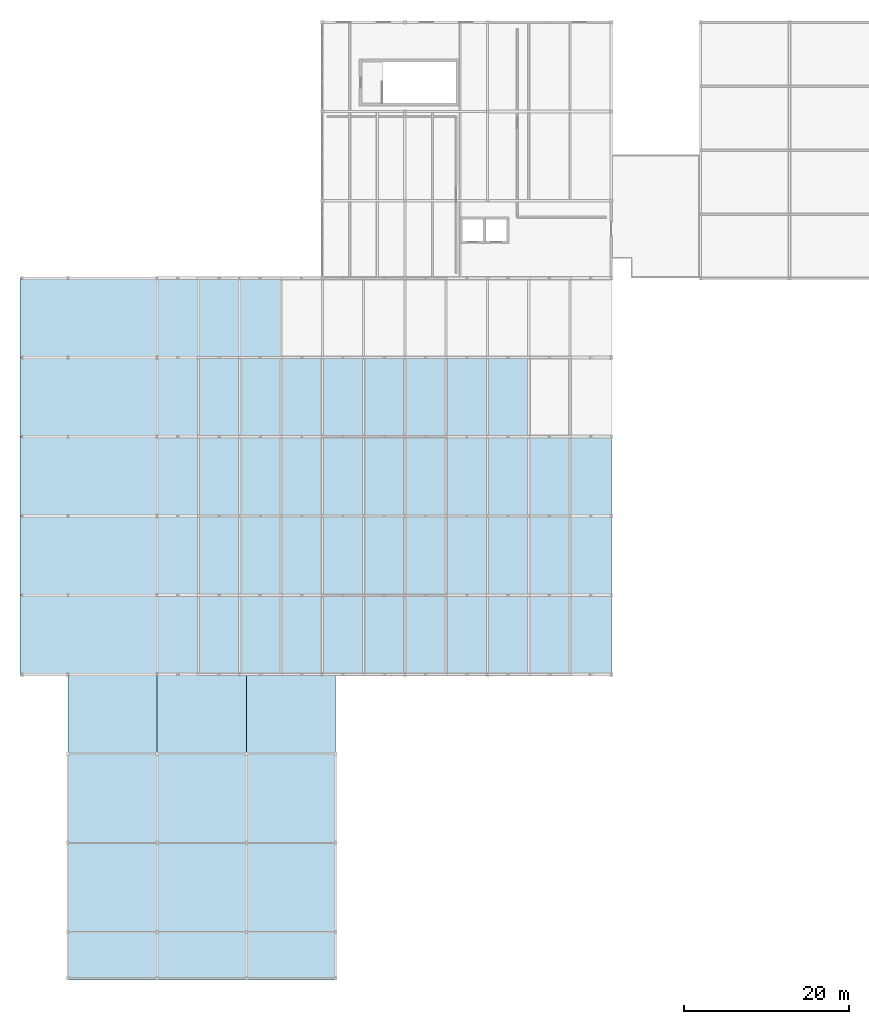
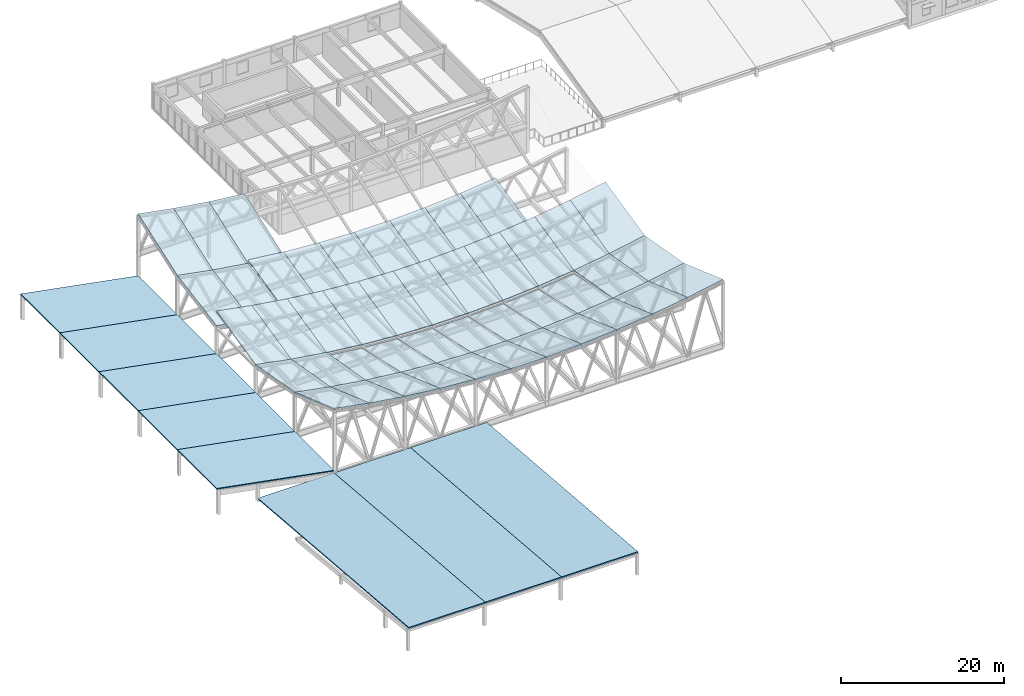
# One storey, part 20 of 40: 53 slabs, 3 elements without a shape of their own.
"""IFC4 building model written with IfcOpenShell, lengths in metres."""

import ifcopenshell
import ifcopenshell.guid

model = None  # the IFC model being written
_history = None  # IfcOwnerHistory: only IFC2X3 demands one
_inside = {}  # id of a spatial element -> (the spatial element, [elements in it])
_under = {}  # id of a project, library or spatial element -> (it, [spatial elements below it])
_declared = {}  # id of a project -> (the project, [libraries it declares])
_typed = {}  # id of a type object -> (the type object, [elements of that type])
_made_of = {}  # id of a material, layer set ... -> (it, [elements and type objects made of it])


def new_model(schema):
    """Start an empty IFC model of exactly this schema.

    Asked for "IFC4X3", IfcOpenShell would pick the latest addendum, in which some entities
    have other attributes; the version numbers below select the first issue.
    IFC2X3 requires an IfcOwnerHistory on every rooted entity: one is made here for all.
    """
    global model, _history
    if schema == "IFC4X3":
        model = ifcopenshell.file(schema_version=(4, 3, 0, 0))
    else:
        model = ifcopenshell.file(schema=schema)
    _inside.clear()
    _under.clear()
    _declared.clear()
    _typed.clear()
    _made_of.clear()
    _history = None
    if model.schema == "IFC2X3":
        org = make("IfcOrganization", Name="unknown")
        user = make(
            "IfcPersonAndOrganization",
            ThePerson=make("IfcPerson", FamilyName="unknown"),
            TheOrganization=org,
        )
        app = make(
            "IfcApplication",
            ApplicationDeveloper=org,
            Version="unknown",
            ApplicationFullName="unknown",
            ApplicationIdentifier="unknown",
        )
        _history = make(
            "IfcOwnerHistory",
            OwningUser=user,
            OwningApplication=app,
            ChangeAction="ADDED",
            CreationDate=0,
        )
    return model


def make(cls, **values):
    """One entity of the class cls with the attributes given. An attribute that is None is left unset."""
    return model.create_entity(
        cls, **{name: value for name, value in values.items() if value is not None}
    )


def rooted(cls, **values):
    """An entity with a GlobalId (a new one), such as an element, a storey or a relation."""
    return make(cls, GlobalId=ifcopenshell.guid.new(), OwnerHistory=_history, **values)


def si_unit(unit_type, name, prefix=None):
    """IfcSIUnit, for example si_unit("LENGTHUNIT", "METRE", prefix="MILLI")."""
    return make("IfcSIUnit", UnitType=unit_type, Prefix=prefix, Name=name)


def assignment(units):
    """IfcUnitAssignment: the units of a project."""
    return None if units is None else make("IfcUnitAssignment", Units=units)


def point(xyz):
    """IfcCartesianPoint."""
    return None if xyz is None else make("IfcCartesianPoint", Coordinates=xyz)


def direction(xyz):
    """IfcDirection."""
    return None if xyz is None else make("IfcDirection", DirectionRatios=xyz)


def frame(location, z_axis=None, x_axis=None):
    """IfcAxis2Placement3D, a coordinate frame: its origin and axes. An axis left out is left unset."""
    return make(
        "IfcAxis2Placement3D",
        Location=point(location),
        Axis=direction(z_axis),
        RefDirection=direction(x_axis),
    )


def origin():
    """The frame at (0, 0, 0) with its axes left unset."""
    return frame((0.0, 0.0, 0.0))


def place(relative_to, where):
    """IfcLocalPlacement: puts the frame where relative to a parent placement (None: the world)."""
    return make(
        "IfcLocalPlacement", PlacementRelTo=relative_to, RelativePlacement=where
    )


def context(
    kind, dimensions, precision=None, world=None, true_north=None, identifier=None
):
    """IfcGeometricRepresentationContext, for example the 3D "Model" context."""
    return make(
        "IfcGeometricRepresentationContext",
        ContextIdentifier=identifier,
        ContextType=kind,
        CoordinateSpaceDimension=dimensions,
        Precision=precision,
        WorldCoordinateSystem=world,
        TrueNorth=true_north,
    )


def subcontext(parent, identifier, kind, view, scale=None):
    """IfcGeometricRepresentationSubContext, for example "Body" below "Model"."""
    return make(
        "IfcGeometricRepresentationSubContext",
        ContextIdentifier=identifier,
        ContextType=kind,
        ParentContext=parent,
        TargetScale=scale,
        TargetView=view,
    )


def project(units=None, contexts=None):
    """IfcProject with its units and contexts."""
    return rooted(
        "IfcProject",
        Name="project",
        RepresentationContexts=contexts,
        UnitsInContext=assignment(units),
    )


def spatial(cls, under=None, at=None, **own):
    """A site, building, storey or space (cls), placed at a placement, below another one or the project."""
    s = rooted(cls, ObjectPlacement=at, **own)
    if under is not None:
        _under.setdefault(under.id(), (under, []))[1].append(s)
    return s


def polyline(points):
    """IfcPolyline through the points."""
    return make("IfcPolyline", Points=[point(p) for p in points])


def outline(outer, holes=None, kind="AREA"):
    """IfcArbitraryClosedProfileDef: a profile drawn as a closed curve; with holes, ...WithVoids."""
    if holes is None:
        return make("IfcArbitraryClosedProfileDef", ProfileType=kind, OuterCurve=outer)
    return make(
        "IfcArbitraryProfileDefWithVoids",
        ProfileType=kind,
        OuterCurve=outer,
        InnerCurves=holes,
    )


def extrude(swept, where, along, depth):
    """IfcExtrudedAreaSolid: the profile swept, set in the frame where, extruded along a direction by depth."""
    return make(
        "IfcExtrudedAreaSolid",
        SweptArea=swept,
        Position=where,
        ExtrudedDirection=direction(along),
        Depth=depth,
    )


def shape(context_of_items, identifier, shape_type, items):
    """IfcShapeRepresentation: the items that make up one representation, for example the "Body"."""
    return make(
        "IfcShapeRepresentation",
        ContextOfItems=context_of_items,
        RepresentationIdentifier=identifier,
        RepresentationType=shape_type,
        Items=items,
    )


def material(Name=None, Category=None):
    """IfcMaterial."""
    return make("IfcMaterial", Name=Name, Category=Category)


def layer(
    of_material, thickness, ventilated=None, Name=None, Category=None, Priority=None
):
    """IfcMaterialLayer: one layer of a wall or slab, of a material (None: an air gap)."""
    return make(
        "IfcMaterialLayer",
        Material=of_material,
        LayerThickness=thickness,
        IsVentilated=ventilated,
        Name=Name,
        Category=Category,
        Priority=Priority,
    )


def layer_set(layers, Name=None):
    """IfcMaterialLayerSet."""
    return make("IfcMaterialLayerSet", MaterialLayers=layers, LayerSetName=Name)


def made_of(thing, what):
    """Note that an element or type object is made of a material, layer set ...; save() writes the relation."""
    if what is not None:
        _made_of.setdefault(what.id(), (what, []))[1].append(thing)
    return thing


def type_object(cls, material=None, **own):
    """A type object (cls), such as IfcWallType, which elements share."""
    return made_of(rooted(cls, **own), material)


def element(
    cls,
    number,
    at=None,
    inside=None,
    cuts=None,
    type_object=None,
    material=None,
    context=None,
    identifier="Body",
    shape_type=None,
    held_by="IfcProductDefinitionShape",
    body=None,
    shapes=None,
    **own,
):
    """One element of the class cls, such as IfcWall. Its Tag is "e" and its number.

    at: its placement. inside: the storey or other place that contains it. cuts: it is an
    opening in that element (IfcRelVoidsElement). A single representation is given by context,
    identifier, shape_type and body (its items); several are given by shapes. held_by: the class
    of the entity that holds the representations. save() writes the other relations.
    """
    e = rooted(cls, Tag="e%d" % number, ObjectPlacement=at, **own)
    if body is not None:
        shapes = [shape(context, identifier, shape_type, body)]
    if shapes is not None:
        e.Representation = make(held_by, Representations=shapes)
    if inside is not None:
        _inside.setdefault(inside.id(), (inside, []))[1].append(e)
    if cuts is not None:
        rooted(
            "IfcRelVoidsElement", RelatingBuildingElement=cuts, RelatedOpeningElement=e
        )
    if type_object is not None:
        _typed.setdefault(type_object.id(), (type_object, []))[1].append(e)
    return made_of(e, material)


def aggregate(whole, parts):
    """IfcRelAggregates: a whole, such as a stair, and the parts it consists of."""
    return rooted("IfcRelAggregates", RelatingObject=whole, RelatedObjects=parts)


def save(model, path):
    """Write the relations noted so far, then the file.

    IfcRelAggregates (storeys below a building ...), IfcRelContainedInSpatialStructure (elements
    in a storey), IfcRelDefinesByType, IfcRelAssociatesMaterial and IfcRelDeclares: one each for
    every whole, place, type object, material and project.
    """
    for whole, parts in _under.values():
        aggregate(whole, parts)
    for where, things in _inside.values():
        rooted(
            "IfcRelContainedInSpatialStructure",
            RelatedElements=things,
            RelatingStructure=where,
        )
    for kind, things in _typed.values():
        rooted("IfcRelDefinesByType", RelatedObjects=things, RelatingType=kind)
    for what, things in _made_of.values():
        rooted("IfcRelAssociatesMaterial", RelatedObjects=things, RelatingMaterial=what)
    for by, libraries in _declared.values():
        rooted("IfcRelDeclares", RelatingContext=by, RelatedDefinitions=libraries)
    model.write(path)


model = new_model("IFC4")

# Units and contexts
model_context = context("Model", 3, precision=1e-05, world=origin(), true_north=direction((0.0, 1.0)))
body_context = subcontext(model_context, "Body", "Model", "MODEL_VIEW")
ifc_project = project(units=[si_unit("LENGTHUNIT", "METRE"), si_unit("AREAUNIT", "SQUARE_METRE"), si_unit("VOLUMEUNIT", "CUBIC_METRE"), si_unit("PLANEANGLEUNIT", "RADIAN"), si_unit("MASSUNIT", "GRAM", prefix="KILO")], contexts=[model_context])

# Site, building, storey
site_placement = place(None, origin())
site = spatial("IfcSite", under=ifc_project, at=site_placement, CompositionType="ELEMENT")
building_placement = place(site_placement, origin())
building = spatial("IfcBuilding", under=site, at=building_placement, Name="Veldera Park Congress Hotel", CompositionType="ELEMENT")
storey_placement = place(building_placement, frame((0.0, 0.0, 16.199951171875)))
storey = spatial("IfcBuildingStorey", under=building, at=storey_placement, Name="L03", CompositionType="ELEMENT", Elevation=16.199951171875)

# Roof, slabs
ifc_material = material(Name="Cross-laminated timber CLT V2M1.1", Category="wood")
roof_type_1 = type_object("IfcRoofType", Name="ROOF-SHD", PredefinedType="SHED_ROOF", material=ifc_material)
roof_1_placement = place(storey_placement, origin())
roof_1 = element("IfcRoof", 1, at=roof_1_placement, inside=storey, type_object=roof_type_1, Name="Plenary West Overhang Canopy Roof", PredefinedType="SHED_ROOF")
ifc_layer_1 = layer(ifc_material, 0.139892578125)
ifc_layer_set_1 = layer_set([ifc_layer_1], Name="Cross-laminated timber CLT V2M1.1")
slab_type_1 = type_object("IfcSlabType", Name="RF-CAN140", PredefinedType="ROOF", material=ifc_layer_set_1)
slab_1_placement = place(storey_placement, frame((-84.0, -21.0, 3.860107421875), z_axis=(0.183577954771, 0.0, 0.983005154881), x_axis=(0.983005154881, 0.0, -0.183577954771)))
slab_1 = element("IfcSlab", 2, at=slab_1_placement, type_object=slab_type_1, Name="Plenary West Cantilever Roof Deck 1", PredefinedType="ROOF", context=body_context, shape_type="SweptSolid", body=[
    extrude(outline(polyline([(0.0, 0.0), (16.887091154942095, 0.0), (16.887091154942095, 9.600097656249998), (0.0, 9.600097656249998), (0.0, 0.0)])), origin(), (0.0, 0.0, -1.0), 0.139892578125),
])
slab_2_placement = place(storey_placement, frame((-84.0, -11.39990234375, 3.860107421875), z_axis=(0.183577954771, 0.0, 0.983005154881), x_axis=(0.983005154881, 0.0, -0.183577954771)))
slab_2 = element("IfcSlab", 3, at=slab_2_placement, type_object=slab_type_1, Name="Plenary West Cantilever Roof Deck 2", PredefinedType="ROOF", context=body_context, shape_type="SweptSolid", body=[
    extrude(outline(polyline([(0.0, 0.0), (16.887091154942095, 0.0), (16.887091154942095, 9.599853515624998), (0.0, 9.599853515624998), (0.0, 0.0)])), origin(), (0.0, 0.0, -1.0), 0.139892578125),
])
slab_3_placement = place(storey_placement, frame((-84.0, -1.800048828125, 3.860107421875), z_axis=(0.183577954771, 0.0, 0.983005154881), x_axis=(0.983005154881, 0.0, -0.183577954771)))
slab_3 = element("IfcSlab", 4, at=slab_3_placement, type_object=slab_type_1, Name="Plenary West Cantilever Roof Deck 3", PredefinedType="ROOF", context=body_context, shape_type="SweptSolid", body=[
    extrude(outline(polyline([(0.0, 0.0), (16.887091154942095, 0.0), (16.887091154942095, 9.600097656249998), (0.0, 9.600097656249998), (0.0, 0.0)])), origin(), (0.0, 0.0, -1.0), 0.139892578125),
])
slab_4_placement = place(storey_placement, frame((-84.0, 7.800048828125, 3.860107421875), z_axis=(0.183577954771, 0.0, 0.983005154881), x_axis=(0.983005154881, 0.0, -0.183577954771)))
slab_4 = element("IfcSlab", 5, at=slab_4_placement, type_object=slab_type_1, Name="Plenary West Cantilever Roof Deck 4", PredefinedType="ROOF", context=body_context, shape_type="SweptSolid", body=[
    extrude(outline(polyline([(0.0, 0.0), (16.887091154942095, 0.0), (16.887091154942095, 9.599853515624998), (0.0, 9.599853515624998), (0.0, 0.0)])), origin(), (0.0, 0.0, -1.0), 0.139892578125),
])
slab_5_placement = place(storey_placement, frame((-84.0, 17.39990234375, 3.860107421875), z_axis=(0.183577954771, 0.0, 0.983005154881), x_axis=(0.983005154881, 0.0, -0.183577954771)))
slab_5 = element("IfcSlab", 6, at=slab_5_placement, type_object=slab_type_1, Name="Plenary West Cantilever Roof Deck 5", PredefinedType="ROOF", context=body_context, shape_type="SweptSolid", body=[
    extrude(outline(polyline([(0.0, 0.0), (16.887091154942095, 0.0), (16.887091154942095, 9.600097656249998), (0.0, 9.600097656249998), (0.0, 0.0)])), origin(), (0.0, 0.0, -1.0), 0.139892578125),
])
aggregate(roof_1, [slab_1, slab_2, slab_3, slab_4, slab_5])

roof_type_2 = type_object("IfcRoofType", Name="ROOF-BUT", PredefinedType="BUTTERFLY_ROOF", material=ifc_material)
roof_2_placement = place(storey_placement, origin())
roof_2 = element("IfcRoof", 7, at=roof_2_placement, inside=storey, type_object=roof_type_2, Name="Biophilic Spa Butterfly Timber Roof", PredefinedType="BUTTERFLY_ROOF")
ifc_layer_2 = layer(ifc_material, 0.159912109375)
ifc_layer_set_2 = layer_set([ifc_layer_2], Name="Cross-laminated timber CLT V2M1.1")
slab_type_2 = type_object("IfcSlabType", Name="RF-DECK160", PredefinedType="ROOF", material=ifc_layer_set_2)
slab_6_placement = place(storey_placement, frame((-78.199951171875, -58.0, 3.489990234375), z_axis=(0.0, 0.083487335829, 0.996508838273), x_axis=(1.0, 0.0, 0.0)))
slab_6 = element("IfcSlab", 8, at=slab_6_placement, type_object=slab_type_2, Name="Spa Butterfly Roof Deck 1", PredefinedType="ROOF", context=body_context, shape_type="SweptSolid", body=[
    extrude(outline(polyline([(0.0, 0.0), (10.800048828125, 0.0), (10.800048828125, 37.12962552758017), (0.0, 37.12962552758017), (0.0, 0.0)])), origin(), (0.0, 0.0, -1.0), 0.159912109375),
])
slab_7_placement = place(storey_placement, frame((-67.39990234375, -58.0, 3.489990234375), z_axis=(0.0, 0.083487335829, 0.996508838273), x_axis=(1.0, 0.0, 0.0)))
slab_7 = element("IfcSlab", 9, at=slab_7_placement, type_object=slab_type_2, Name="Spa Butterfly Roof Deck 2", PredefinedType="ROOF", context=body_context, shape_type="SweptSolid", body=[
    extrude(outline(polyline([(0.0, 0.0), (10.7998046875, 0.0), (10.7998046875, 37.12962552758016), (0.0, 37.12962552758016), (0.0, 0.0)])), origin(), (0.0, 0.0, -1.0), 0.159912109375),
])
slab_8_placement = place(storey_placement, frame((-56.60009765625, -58.0, 3.489990234375), z_axis=(0.0, 0.083487335829, 0.996508838273), x_axis=(1.0, 0.0, 0.0)))
slab_8 = element("IfcSlab", 10, at=slab_8_placement, type_object=slab_type_2, Name="Spa Butterfly Roof Deck 3", PredefinedType="ROOF", context=body_context, shape_type="SweptSolid", body=[
    extrude(outline(polyline([(0.0, 0.0), (10.800048828125, 0.0), (10.800048828125, 37.12962552758017), (0.0, 37.12962552758017), (0.0, 0.0)])), origin(), (0.0, 0.0, -1.0), 0.159912109375),
])
aggregate(roof_2, [slab_6, slab_7, slab_8])

roof_type_3 = type_object("IfcRoofType", Name="ROOF-PAV", PredefinedType="PAVILION_ROOF", material=ifc_material)
roof_3_placement = place(storey_placement, origin())
roof_3 = element("IfcRoof", 11, at=roof_3_placement, inside=storey, type_object=roof_type_3, Name="Plenary Congress Pavilion Sweeping Space Frame Roof", PredefinedType="PAVILION_ROOF")
ifc_layer_3 = layer(ifc_material, 0.179931640625)
ifc_layer_set_3 = layer_set([ifc_layer_3], Name="Cross-laminated timber CLT V2M1.1")
slab_type_3 = type_object("IfcSlabType", Name="RF-DECK180", PredefinedType="ROOF", material=ifc_layer_set_3)
slab_9_placement = place(storey_placement, frame((-67.39990234375, -21.0, 10.026123046875), z_axis=(0.174579612807, 0.327586114699, 0.928552258222), x_axis=(0.982780332311, 7.298383e-06, -0.184777753991)))
slab_9 = element("IfcSlab", 12, at=slab_9_placement, type_object=slab_type_3, Name="Plenary Sweeping Roof Deck Panel 1-1", PredefinedType="ROOF", context=body_context, shape_type="SweptSolid", body=[
    extrude(outline(polyline([(0.0, 0.0), (5.0876270352399775, 0.0), (5.713487384450559, 10.160710492459494), (0.6259054609669267, 10.160789092048486), (0.0, 0.0)])), origin(), (0.0, 0.0, -1.0), 0.179931640625),
])
slab_10_placement = place(storey_placement, frame((-67.39990234375, -11.39990234375, 6.63916015625), z_axis=(0.182013731489, 0.170822714202, 0.968344257928), x_axis=(0.982789385968, 3.968935e-06, -0.184729593765)))
slab_10 = element("IfcSlab", 13, at=slab_10_placement, type_object=slab_type_3, Name="Plenary Sweeping Roof Deck Panel 1-2", PredefinedType="ROOF", context=body_context, shape_type="SweptSolid", body=[
    extrude(outline(polyline([(0.0, 0.0), (5.087581923980247, 5.551115123125783e-17), (5.400433614622228, 9.743037375482444), (0.31289679064045833, 9.743078362305686), (0.0, 0.0)])), origin(), (0.0, 0.0, -1.0), 0.179931640625),
])
slab_11_placement = place(storey_placement, frame((-67.39990234375, -1.800048828125, 4.945556640625), z_axis=(0.180214537968, -0.219723718022, 0.958772239921), x_axis=(0.982789723381, 5.054694e-06, -0.184727798645)))
slab_11 = element("IfcSlab", 14, at=slab_11_placement, type_object=slab_type_3, Name="Plenary Sweeping Roof Deck Panel 1-3", PredefinedType="ROOF", context=body_context, shape_type="SweptSolid", body=[
    extrude(outline(polyline([(0.0, 0.0), (5.087536824173885, 2.7755575615628914e-17), (4.681193212625219, 9.840556133868995), (-0.40638871110888175, 9.840608854358004), (0.0, 0.0)])), origin(), (0.0, 0.0, -1.0), 0.179931640625),
])
slab_12_placement = place(storey_placement, frame((-67.39990234375, 7.800048828125, 4.945556640625), z_axis=(0.182013731489, -0.170822714202, 0.968344257928), x_axis=(0.982789640192, 3.968971e-06, -0.184728241248)))
slab_12 = element("IfcSlab", 15, at=slab_12_placement, type_object=slab_type_3, Name="Plenary Sweeping Roof Deck Panel 1-4", PredefinedType="ROOF", context=body_context, shape_type="SweptSolid", body=[
    extrude(outline(polyline([(0.0, 0.0), (5.087536824146871, -2.7755575615628914e-17), (4.774763626539182, 9.743039895599507), (-0.31281829727596183, 9.743080882786087), (0.0, 0.0)])), origin(), (0.0, 0.0, -1.0), 0.179931640625),
])
slab_13_placement = place(storey_placement, frame((-67.39990234375, 17.39990234375, 6.63916015625), z_axis=(0.174556958701, -0.32759795106, 0.928552341352), x_axis=(0.982785156753, 0.0, -0.184752092456)))
slab_13 = element("IfcSlab", 16, at=slab_13_placement, type_object=slab_type_3, Name="Plenary Sweeping Roof Deck Panel 1-5", PredefinedType="ROOF", context=body_context, shape_type="SweptSolid", body=[
    extrude(outline(polyline([(0.0, 0.0), (5.0875819253534615, 0.0), (4.461833444239922, 10.160798761435622), (-0.62574848111354, 10.160798761435622), (0.0, 0.0)])), origin(), (0.0, 0.0, -1.0), 0.179931640625),
])
slab_14_placement = place(storey_placement, frame((-62.39990234375, -21.0, 9.0859375), z_axis=(0.140240154443, 0.329396881923, 0.933718583547), x_axis=(0.988908000438, 0.0, -0.148529346159)))
slab_14 = element("IfcSlab", 17, at=slab_14_placement, type_object=slab_type_3, Name="Plenary Sweeping Roof Deck Panel 2-1", PredefinedType="ROOF", context=body_context, shape_type="SweptSolid", body=[
    extrude(outline(polyline([(0.0, 0.0), (5.05608205999708, -5.551115123125783e-17), (5.559109181560602, 10.167531785842119), (0.5030271215635227, 10.167531785842119), (0.0, 0.0)])), origin(), (0.0, 0.0, -1.0), 0.179931640625),
])
slab_15_placement = place(storey_placement, frame((-62.39990234375, -11.39990234375, 5.69921875), z_axis=(0.146366428499, 0.17184166108, 0.974190593326), x_axis=(0.988900906947, 0.0, -0.148576566927)))
slab_15 = element("IfcSlab", 18, at=slab_15_placement, type_object=slab_type_3, Name="Plenary Sweeping Roof Deck Panel 2-2", PredefinedType="ROOF", context=body_context, shape_type="SweptSolid", body=[
    extrude(outline(polyline([(0.0, 0.0), (5.056118327808757, 0.0), (5.307711850320742, 9.744811655121309), (0.25159352251198464, 9.744811655121307), (0.0, 0.0)])), origin(), (0.0, 0.0, -1.0), 0.179931640625),
])
slab_16_placement = place(storey_placement, frame((-62.39990234375, -1.800048828125, 4.005859375), z_axis=(0.144902435658, -0.221011836038, 0.964446500575), x_axis=(0.988900906947, 0.0, -0.148576566927)))
slab_16 = element("IfcSlab", 19, at=slab_16_placement, type_object=slab_type_3, Name="Plenary Sweeping Roof Deck Panel 2-3", PredefinedType="ROOF", context=body_context, shape_type="SweptSolid", body=[
    extrude(outline(polyline([(0.0, 0.0), (5.056118327808757, 0.0), (4.729257135283455, 9.84351674601064), (-0.3268611925253018, 9.84351674601064), (0.0, 0.0)])), origin(), (0.0, 0.0, -1.0), 0.179931640625),
])
slab_17_placement = place(storey_placement, frame((-62.39990234375, 7.800048828125, 4.005859375), z_axis=(0.146366428499, -0.17184166108, 0.974190593326), x_axis=(0.988900906947, 0.0, -0.148576566927)))
slab_17 = element("IfcSlab", 20, at=slab_17_placement, type_object=slab_type_3, Name="Plenary Sweeping Roof Deck Panel 2-4", PredefinedType="ROOF", context=body_context, shape_type="SweptSolid", body=[
    extrude(outline(polyline([(0.0, 0.0), (5.056118327808757, 0.0), (4.804524805296772, 9.744811655121307), (-0.25159352251198464, 9.744811655121307), (0.0, 0.0)])), origin(), (0.0, 0.0, -1.0), 0.179931640625),
])
slab_18_placement = place(storey_placement, frame((-62.39990234375, 17.39990234375, 5.69921875), z_axis=(0.140261953319, -0.329406413214, 0.933711946686), x_axis=(0.98890406908, -7.425707e-06, -0.148555518586)))
slab_18 = element("IfcSlab", 21, at=slab_18_placement, type_object=slab_type_3, Name="Plenary Sweeping Roof Deck Panel 2-5", PredefinedType="ROOF", context=body_context, shape_type="SweptSolid", body=[
    extrude(outline(polyline([(0.0, 0.0), (5.056118326524066, -5.551115123125783e-17), (4.552895010365707, 10.167603400658932), (-0.5031870477212044, 10.167523871776885), (0.0, 0.0)])), origin(), (0.0, 0.0, -1.0), 0.179931640625),
])
slab_19_placement = place(storey_placement, frame((-57.39990234375, -21.0, 8.3349609375), z_axis=(0.105498895407, 0.330849267524, 0.937767959171), x_axis=(0.993731316159, 0.0, -0.111794773068)))
slab_19 = element("IfcSlab", 22, at=slab_19_placement, type_object=slab_type_3, Name="Plenary Sweeping Roof Deck Panel 3-1", PredefinedType="ROOF", context=body_context, shape_type="SweptSolid", body=[
    extrude(outline(polyline([(0.0, 0.0), (5.031541140644683, 2.7755575615628914e-17), (5.4101858883913865, 10.173004511303995), (0.3786447477467026, 10.173004511303995), (0.0, 0.0)])), origin(), (0.0, 0.0, -1.0), 0.179931640625),
])
slab_20_placement = place(storey_placement, frame((-57.39990234375, -11.39990234375, 4.947998046875), z_axis=(0.10900400919, 0.222043663818, 0.968924526131), x_axis=(0.993731316159, 0.0, -0.111794773068)))
slab_20 = element("IfcSlab", 23, at=slab_20_placement, type_object=slab_type_3, Name="Plenary Sweeping Roof Deck Panel 3-2", PredefinedType="ROOF", context=body_context, shape_type="SweptSolid", body=[
    extrude(outline(polyline([(0.0, 0.0), (5.031541140644683, 0.0), (5.277484182664834, 9.845632772969633), (0.24594304202014974, 9.845632772969633), (0.0, 0.0)])), origin(), (0.0, 0.0, -1.0), 0.179931640625),
])
slab_21_placement = place(storey_placement, frame((-57.39990234375, -1.800048828125, 3.254638671875), z_axis=(0.109004145862, -0.222038295409, 0.968925740992), x_axis=(0.993731316159, 0.0, -0.111794773068)))
slab_21 = element("IfcSlab", 24, at=slab_21_placement, type_object=slab_type_3, Name="Plenary Sweeping Roof Deck Panel 3-3", PredefinedType="ROOF", context=body_context, shape_type="SweptSolid", body=[
    extrude(outline(polyline([(0.0, 0.0), (5.031541140644683, 0.0), (4.785598098624534, 9.845870819193841), (-0.24594304202014974, 9.845870819193841), (0.0, 0.0)])), origin(), (0.0, 0.0, -1.0), 0.179931640625),
])
slab_22_placement = place(storey_placement, frame((-57.39990234375, 7.800048828125, 3.254638671875), z_axis=(0.10900400919, -0.222043663818, 0.968924526131), x_axis=(0.993731316159, 0.0, -0.111794773068)))
slab_22 = element("IfcSlab", 25, at=slab_22_placement, type_object=slab_type_3, Name="Plenary Sweeping Roof Deck Panel 3-4", PredefinedType="ROOF", context=body_context, shape_type="SweptSolid", body=[
    extrude(outline(polyline([(0.0, 0.0), (5.031541140644683, 0.0), (4.785598098624534, 9.845632772969633), (-0.24594304202014974, 9.845632772969633), (0.0, 0.0)])), origin(), (0.0, 0.0, -1.0), 0.179931640625),
])
slab_23_placement = place(storey_placement, frame((-57.39990234375, 17.39990234375, 4.947998046875), z_axis=(0.105498895407, -0.330849267524, 0.937767959171), x_axis=(0.993731316159, 0.0, -0.111794773068)))
slab_23 = element("IfcSlab", 26, at=slab_23_placement, type_object=slab_type_3, Name="Plenary Sweeping Roof Deck Panel 3-5", PredefinedType="ROOF", context=body_context, shape_type="SweptSolid", body=[
    extrude(outline(polyline([(0.0, 0.0), (5.031541140644683, -2.7755575615628914e-17), (4.652896392897981, 10.173004511303995), (-0.3786447477467026, 10.173004511303995), (0.0, 0.0)])), origin(), (0.0, 0.0, -1.0), 0.179931640625),
])
slab_24_placement = place(storey_placement, frame((-52.39990234375, -21.0, 7.7724609375), z_axis=(0.070299961404, 0.331872173468, 0.940701215001), x_axis=(0.997219048263, 7.60068e-06, -0.074526302232)))
slab_24 = element("IfcSlab", 27, at=slab_24_placement, type_object=slab_type_3, Name="Plenary Sweeping Roof Deck Panel 4-1", PredefinedType="ROOF", context=body_context, shape_type="SweptSolid", body=[
    extrude(outline(polyline([(0.0, 0.0), (5.013951630160193, 2.7755575615628914e-17), (5.26642422256816, 10.176836270572245), (0.2524907873059728, 10.176917068599257), (0.0, 0.0)])), origin(), (0.0, 0.0, -1.0), 0.179931640625),
])
slab_25_placement = place(storey_placement, frame((-52.39990234375, -11.39990234375, 4.385498046875), z_axis=(0.072650488131, 0.222796153122, 0.972154195963), x_axis=(0.997219337368, -5.273201e-06, -0.074522433875)))
slab_25 = element("IfcSlab", 28, at=slab_25_placement, type_object=slab_type_3, Name="Plenary Sweeping Roof Deck Panel 4-2", PredefinedType="ROOF", context=body_context, shape_type="SweptSolid", body=[
    extrude(outline(polyline([(0.0, 0.0), (5.013933435823801, -1.3877787807814457e-17), (5.177846723552364, 9.84739454650964), (0.16389509377498068, 9.847340304074269), (0.0, 0.0)])), origin(), (0.0, 0.0, -1.0), 0.179931640625),
])
slab_26_placement = place(storey_placement, frame((-52.39990234375, -1.800048828125, 2.692138671875), z_axis=(0.07265057984, -0.222790768417, 0.972155423148), x_axis=(0.99721915775, -5.273061e-06, -0.07452483739)))
slab_26 = element("IfcSlab", 29, at=slab_26_placement, type_object=slab_type_3, Name="Plenary Sweeping Roof Deck Panel 4-3", PredefinedType="ROOF", context=body_context, shape_type="SweptSolid", body=[
    extrude(outline(polyline([(0.0, 0.0), (5.013951630070785, 1.3877787807814457e-17), (4.849931810278581, 9.847630776350021), (-0.164001625251826, 9.847576535422448), (0.0, 0.0)])), origin(), (0.0, 0.0, -1.0), 0.179931640625),
])
slab_27_placement = place(storey_placement, frame((-52.39990234375, 7.800048828125, 2.692138671875), z_axis=(0.072650488131, -0.222796153122, 0.972154195963), x_axis=(0.997219157746, -5.273182e-06, -0.074524837448)))
slab_27 = element("IfcSlab", 30, at=slab_27_placement, type_object=slab_type_3, Name="Plenary Sweeping Roof Deck Panel 4-4", PredefinedType="ROOF", context=body_context, shape_type="SweptSolid", body=[
    extrude(outline(polyline([(0.0, 0.0), (5.013951630070789, 0.0), (4.849931810278578, 9.847392772670192), (-0.1640016252518188, 9.84733853043165), (0.0, 0.0)])), origin(), (0.0, 0.0, -1.0), 0.179931640625),
])
slab_28_placement = place(storey_placement, frame((-47.39990234375, -21.0, 7.398681640625), z_axis=(0.034859100949, 0.332493095917, 0.942461237531), x_axis=(0.999316770285, -7.645215e-06, -0.036959336689)))
slab_28 = element("IfcSlab", 31, at=slab_28_placement, type_object=slab_type_3, Name="Plenary Sweeping Roof Deck Panel 5-1", PredefinedType="ROOF", context=body_context, shape_type="SweptSolid", body=[
    extrude(outline(polyline([(0.0, 0.0), (5.003414471023581, -6.938893903907228e-18), (5.128520978039215, 10.179279983411117), (0.12509748374007487, 10.179198863735028), (0.0, 0.0)])), origin(), (0.0, 0.0, -1.0), 0.179931640625),
])
slab_29_placement = place(storey_placement, frame((-47.39990234375, -11.39990234375, 4.011962890625), z_axis=(0.036029226259, 0.223241423741, 0.974097100694), x_axis=(0.999316625767, 5.305421e-06, -0.036963244401)))
slab_29 = element("IfcSlab", 32, at=slab_29_placement, type_object=slab_type_3, Name="Plenary Sweeping Roof Deck Panel 5-2", PredefinedType="ROOF", context=body_context, shape_type="SweptSolid", body=[
    extrude(outline(polyline([(0.0, 0.0), (5.003423494866444, -6.938893903907228e-18), (5.084791758964567, 9.848367980104639), (0.08137728832771282, 9.848422445113222), (0.0, 0.0)])), origin(), (0.0, 0.0, -1.0), 0.179931640625),
])
slab_30_placement = place(storey_placement, frame((-47.39990234375, -1.800048828125, 2.318359375), z_axis=(0.036029271922, -0.223236029402, 0.974098335253), x_axis=(0.999316715587, 5.305309e-06, -0.036960816011)))
slab_30 = element("IfcSlab", 33, at=slab_30_placement, type_object=slab_type_3, Name="Plenary Sweeping Roof Deck Panel 5-3", PredefinedType="ROOF", context=body_context, shape_type="SweptSolid", body=[
    extrude(outline(polyline([(0.0, 0.0), (5.003414470933291, 0.0), (4.922153411919583, 9.848606845352274), (-0.08127008265042972, 9.848661309143008), (0.0, 0.0)])), origin(), (0.0, 0.0, -1.0), 0.179931640625),
])
slab_31_placement = place(storey_placement, frame((-47.39990234375, 7.800048828125, 2.318359375), z_axis=(0.036029226259, -0.223241423741, 0.974097100694), x_axis=(0.999316715589, 5.30543e-06, -0.036960815952)))
slab_31 = element("IfcSlab", 34, at=slab_31_placement, type_object=slab_type_3, Name="Plenary Sweeping Roof Deck Panel 5-4", PredefinedType="ROOF", context=body_context, shape_type="SweptSolid", body=[
    extrude(outline(polyline([(0.0, 0.0), (5.003414470933294, 6.938893903907228e-18), (4.922153411919579, 9.84836886526092), (-0.08127008265042249, 9.848423330367732), (0.0, 0.0)])), origin(), (0.0, 0.0, -1.0), 0.179931640625),
])
slab_32_placement = place(storey_placement, frame((-42.39990234375, -21.0, 7.2138671875), z_axis=(-0.000713722127, 0.33269521112, 0.943034138883), x_axis=(0.999999715612, 7.659738e-06, 0.000754133426)))
slab_32 = element("IfcSlab", 35, at=slab_32_placement, type_object=slab_type_3, Name="Plenary Sweeping Roof Deck Panel 6-1", PredefinedType="ROOF", context=body_context, shape_type="SweptSolid", body=[
    extrude(outline(polyline([(0.0, 0.0), (5.000001339779148, 0.0), (4.997520836197201, 10.17996722661662), (-0.002480687696552679, 10.180048451011633), (0.0, 0.0)])), origin(), (0.0, 0.0, -1.0), 0.179931640625),
])
slab_33_placement = place(storey_placement, frame((-42.39990234375, -11.39990234375, 3.826904296875), z_axis=(-0.000713915337, 0.223374627392, 0.974732407465), x_axis=(0.999999731779, 0.0, 0.000732421679)))
slab_33 = element("IfcSlab", 36, at=slab_33_placement, type_object=slab_type_3, Name="Plenary Sweeping Roof Deck Panel 6-2", PredefinedType="ROOF", context=body_context, shape_type="SweptSolid", body=[
    extrude(outline(polyline([(0.0, 0.0), (5.000001341104328, -1.0842021724855044e-19), (4.998390049174297, 9.848703979906704), (-0.0016112919300310187, 9.848703979906706), (0.0, 0.0)])), origin(), (0.0, 0.0, -1.0), 0.179931640625),
])
slab_34_placement = place(storey_placement, frame((-42.39990234375, -1.800048828125, 2.133544921875), z_axis=(-0.000713916243, -0.223369230172, 0.974733644303), x_axis=(0.999999731779, 0.0, 0.000732421679)))
slab_34 = element("IfcSlab", 37, at=slab_34_placement, type_object=slab_type_3, Name="Plenary Sweeping Roof Deck Panel 6-3", PredefinedType="ROOF", context=body_context, shape_type="SweptSolid", body=[
    extrude(outline(polyline([(0.0, 0.0), (5.000001341104328, 0.0), (5.001612633034359, 9.848941951900684), (0.0016112919300310187, 9.848941951900684), (0.0, 0.0)])), origin(), (0.0, 0.0, -1.0), 0.179931640625),
])
slab_35_placement = place(storey_placement, frame((-42.39990234375, 7.800048828125, 2.133544921875), z_axis=(-0.000713915337, -0.223374627392, 0.974732407465), x_axis=(0.999999731779, 0.0, 0.000732421679)))
slab_35 = element("IfcSlab", 38, at=slab_35_placement, type_object=slab_type_3, Name="Plenary Sweeping Roof Deck Panel 6-4", PredefinedType="ROOF", context=body_context, shape_type="SweptSolid", body=[
    extrude(outline(polyline([(0.0, 0.0), (5.000001341104328, 1.0842021724855044e-19), (5.001612633034359, 9.848703979906706), (0.0016112919300310187, 9.848703979906706), (0.0, 0.0)])), origin(), (0.0, 0.0, -1.0), 0.179931640625),
])
slab_36_placement = place(storey_placement, frame((-37.39990234375, -21.0, 7.217529296875), z_axis=(-0.036306669944, 0.332486605185, 0.942408872565), x_axis=(0.999258722193, 0.0, 0.038496832608)))
slab_36 = element("IfcSlab", 39, at=slab_36_placement, type_object=slab_type_3, Name="Plenary Sweeping Roof Deck Panel 7-1", PredefinedType="ROOF", context=body_context, shape_type="SweptSolid", body=[
    extrude(outline(polyline([(0.0, 0.0), (5.003709138536155, 0.0), (4.873321795086491, 10.179213710924618), (-0.1303873434496641, 10.179213710924618), (0.0, 0.0)])), origin(), (0.0, 0.0, -1.0), 0.179931640625),
])
slab_37_placement = place(storey_placement, frame((-37.39990234375, -11.39990234375, 3.83056640625), z_axis=(-0.037525507357, 0.223217354849, 0.974046122518), x_axis=(0.999258722193, 0.0, 0.038496832608)))
slab_37 = element("IfcSlab", 40, at=slab_37_placement, type_object=slab_type_3, Name="Plenary Sweeping Roof Deck Panel 7-2", PredefinedType="ROOF", context=body_context, shape_type="SweptSolid", body=[
    extrude(outline(polyline([(0.0, 0.0), (5.003709138536155, 0.0), (4.919017986526861, 9.848339966149787), (-0.0846911520092931, 9.848339966149787), (0.0, 0.0)])), origin(), (0.0, 0.0, -1.0), 0.179931640625),
])
slab_38_placement = place(storey_placement, frame((-37.39990234375, -1.800048828125, 2.13720703125), z_axis=(-0.037525554906, -0.22321196103, 0.974047356745), x_axis=(0.999258722193, 0.0, 0.038496832608)))
slab_38 = element("IfcSlab", 41, at=slab_38_placement, type_object=slab_type_3, Name="Plenary Sweeping Roof Deck Panel 7-3", PredefinedType="ROOF", context=body_context, shape_type="SweptSolid", body=[
    extrude(outline(polyline([(0.0, 0.0), (5.003709138536155, 6.938893903907228e-18), (5.088400290545447, 9.848577946939459), (0.0846911520092931, 9.848577946939459), (0.0, 0.0)])), origin(), (0.0, 0.0, -1.0), 0.179931640625),
])
slab_39_placement = place(storey_placement, frame((-37.39990234375, 7.800048828125, 2.13720703125), z_axis=(-0.037525507357, -0.223217354849, 0.974046122518), x_axis=(0.999258722193, 0.0, 0.038496832608)))
slab_39 = element("IfcSlab", 42, at=slab_39_placement, type_object=slab_type_3, Name="Plenary Sweeping Roof Deck Panel 7-4", PredefinedType="ROOF", context=body_context, shape_type="SweptSolid", body=[
    extrude(outline(polyline([(0.0, 0.0), (5.003709138536155, 0.0), (5.088400290545447, 9.848339966149787), (0.0846911520092931, 9.848339966149787), (0.0, 0.0)])), origin(), (0.0, 0.0, -1.0), 0.179931640625),
])
slab_40_placement = place(storey_placement, frame((-32.39990234375, -21.0, 7.41015625), z_axis=(-0.071716623131, 0.331838621371, 0.940606110619), x_axis=(0.99710615614, 7.598308e-06, 0.076021795099)))
slab_40 = element("IfcSlab", 43, at=slab_40_placement, type_object=slab_type_3, Name="Plenary Sweeping Roof Deck Panel 8-1", PredefinedType="ROOF", context=body_context, shape_type="SweptSolid", body=[
    extrude(outline(polyline([(0.0, 0.0), (5.014502954076115, 0.0), (4.757111459705712, 10.176713050223064), (-0.2574100543789725, 10.176793831198928), (0.0, 0.0)])), origin(), (0.0, 0.0, -1.0), 0.179931640625),
])
slab_41_placement = place(storey_placement, frame((-32.39990234375, -11.39990234375, 4.023193359375), z_axis=(-0.074114007492, 0.22277209737, 0.972049230506), x_axis=(0.997105861375, -5.271444e-06, 0.076025661347)))
slab_41 = element("IfcSlab", 44, at=slab_41_placement, type_object=slab_type_3, Name="Plenary Sweeping Roof Deck Panel 8-2", PredefinedType="ROOF", context=body_context, shape_type="SweptSolid", body=[
    extrude(outline(polyline([(0.0, 0.0), (5.014521514645995, 0.0), (4.84719960582903, 9.847337218728457), (-0.16730334786448778, 9.847282988510353), (0.0, 0.0)])), origin(), (0.0, 0.0, -1.0), 0.179931640625),
])
slab_42_placement = place(storey_placement, frame((-32.39990234375, -1.800048828125, 2.329833984375), z_axis=(-0.074114101029, -0.222766713186, 0.972050457294), x_axis=(0.99710604453, -5.271343e-06, 0.07602325917)))
slab_42 = element("IfcSlab", 45, at=slab_42_placement, type_object=slab_type_3, Name="Plenary Sweeping Roof Deck Panel 8-3", PredefinedType="ROOF", context=body_context, shape_type="SweptSolid", body=[
    extrude(outline(polyline([(0.0, 0.0), (5.014502953986756, 0.0), (5.181718367045509, 9.847577032663388), (0.1671968526927455, 9.847522803555254), (0.0, 0.0)])), origin(), (0.0, 0.0, -1.0), 0.179931640625),
])
slab_43_placement = place(storey_placement, frame((-32.39990234375, 7.800048828125, 2.329833984375), z_axis=(-0.074114007492, -0.22277209737, 0.972049230506), x_axis=(0.997106044534, -5.271464e-06, 0.076023259111)))
slab_43 = element("IfcSlab", 46, at=slab_43_placement, type_object=slab_type_3, Name="Plenary Sweeping Roof Deck Panel 8-4", PredefinedType="ROOF", context=body_context, shape_type="SweptSolid", body=[
    extrude(outline(polyline([(0.0, 0.0), (5.014502953986758, 0.0), (5.181718367045505, 9.847339027684608), (0.16719685269275247, 9.847284797265777), (0.0, 0.0)])), origin(), (0.0, 0.0, -1.0), 0.179931640625),
])
slab_44_placement = place(storey_placement, frame((-27.39990234375, -21.0, 7.791259765625), z_axis=(-0.106880044761, 0.330789591445, 0.937632605141), x_axis=(0.993565560146, -7.523502e-06, 0.113258455023)))
slab_44 = element("IfcSlab", 47, at=slab_44_placement, type_object=slab_type_3, Name="Plenary Sweeping Roof Deck Panel 9-1", PredefinedType="ROOF", context=body_context, shape_type="SweptSolid", body=[
    extrude(outline(polyline([(0.0, 0.0), (5.032392862372738, 5.551115123125783e-17), (4.648718451803804, 10.172816058770637), (-0.3836467595789385, 10.172735819429425), (0.0, 0.0)])), origin(), (0.0, 0.0, -1.0), 0.179931640625),
])
slab_45_placement = place(storey_placement, frame((-27.39990234375, -11.39990234375, 4.404541015625), z_axis=(-0.110429202505, 0.222020227191, 0.968768501734), x_axis=(0.993565993386, 5.217356e-06, 0.113254654472)))
slab_45 = element("IfcSlab", 48, at=slab_45_placement, type_object=slab_type_3, Name="Plenary Sweeping Roof Deck Panel 9-2", PredefinedType="ROOF", context=body_context, shape_type="SweptSolid", body=[
    extrude(outline(polyline([(0.0, 0.0), (5.032365211934556, -2.7755575615628914e-17), (4.783260587960934, 9.845553288283087), (-0.2491322740357489, 9.845607143830872), (0.0, 0.0)])), origin(), (0.0, 0.0, -1.0), 0.179931640625),
])
slab_46_placement = place(storey_placement, frame((-27.39990234375, -1.800048828125, 2.7109375), z_axis=(-0.110429340934, -0.22201485929, 0.968769716143), x_axis=(0.993565724295, 5.217208e-06, 0.113257015138)))
slab_46 = element("IfcSlab", 49, at=slab_46_placement, type_object=slab_type_3, Name="Plenary Sweeping Roof Deck Panel 9-3", PredefinedType="ROOF", context=body_context, shape_type="SweptSolid", body=[
    extrude(outline(polyline([(0.0, 0.0), (5.032392862284854, -2.7755575615628914e-17), (5.281602851163076, 9.845788670067487), (0.24923763951668296, 9.845842524017277), (0.0, 0.0)])), origin(), (0.0, 0.0, -1.0), 0.179931640625),
])
slab_47_placement = place(storey_placement, frame((-27.39990234375, 7.800048828125, 2.7109375), z_axis=(-0.110429202505, -0.222020227191, 0.968768501734), x_axis=(0.993565724289, 5.217327e-06, 0.113257015195)))
slab_47 = element("IfcSlab", 50, at=slab_47_placement, type_object=slab_type_3, Name="Plenary Sweeping Roof Deck Panel 9-4", PredefinedType="ROOF", context=body_context, shape_type="SweptSolid", body=[
    extrude(outline(polyline([(0.0, 0.0), (5.032392862284858, 0.0), (5.281602851163073, 9.845550621857075), (0.24923763951668976, 9.845604477108953), (0.0, 0.0)])), origin(), (0.0, 0.0, -1.0), 0.179931640625),
])
slab_48_placement = place(storey_placement, frame((-22.39990234375, -21.0, 8.361328125), z_axis=(-0.141668848427, 0.329350322695, 0.933519310098), x_axis=(0.988679941563, 0.0, 0.150039905194)))
slab_48 = element("IfcSlab", 51, at=slab_48_placement, type_object=slab_type_3, Name="Plenary Sweeping Roof Deck Panel 10-1", PredefinedType="ROOF", context=body_context, shape_type="SweptSolid", body=[
    extrude(outline(polyline([(0.0, 0.0), (5.05724834681565, 0.0), (4.549068755809831, 10.167356890327634), (-0.5081795910058196, 10.167356890327634), (0.0, 0.0)])), origin(), (0.0, 0.0, -1.0), 0.179931640625),
])
slab_49_placement = place(storey_placement, frame((-22.39990234375, -11.39990234375, 4.974365234375), z_axis=(-0.147808974173, 0.171804397331, 0.973979340752), x_axis=(0.988679941563, 0.0, 0.150039905194)))
slab_49 = element("IfcSlab", 52, at=slab_49_placement, type_object=slab_type_3, Name="Plenary Sweeping Roof Deck Panel 10-2", PredefinedType="ROOF", context=body_context, shape_type="SweptSolid", body=[
    extrude(outline(polyline([(0.0, 0.0), (5.05724834681565, 0.0), (4.803176866730856, 9.744747363444862), (-0.25407148008479524, 9.744747363444862), (0.0, 0.0)])), origin(), (0.0, 0.0, -1.0), 0.179931640625),
])
slab_50_placement = place(storey_placement, frame((-22.39990234375, -1.800048828125, 3.281005859375), z_axis=(-0.146331184173, -0.220964863412, 0.964241522481), x_axis=(0.988679941563, 0.0, 0.150039905194)))
slab_50 = element("IfcSlab", 53, at=slab_50_placement, type_object=slab_type_3, Name="Plenary Sweeping Roof Deck Panel 10-3", PredefinedType="ROOF", context=body_context, shape_type="SweptSolid", body=[
    extrude(outline(polyline([(0.0, 0.0), (5.05724834681565, -2.7755575615628914e-17), (5.387328812075756, 9.843409320688874), (0.33008046526010526, 9.843409320688874), (0.0, 0.0)])), origin(), (0.0, 0.0, -1.0), 0.179931640625),
])
slab_51_placement = place(storey_placement, frame((-17.39990234375, -21.0, 9.1201171875), z_axis=(-0.175919153143, 0.327517283116, 0.928323693987), x_axis=(0.982514072984, 0.0, 0.186188335803)))
slab_51 = element("IfcSlab", 54, at=slab_51_placement, type_object=slab_type_3, Name="Plenary Sweeping Roof Deck Panel 11-1", PredefinedType="ROOF", context=body_context, shape_type="SweptSolid", body=[
    extrude(outline(polyline([(0.0, 0.0), (5.088985631337029, 0.0), (4.45837264730439, 10.160498014190892), (-0.6306129840326389, 10.160498014190892), (0.0, 0.0)])), origin(), (0.0, 0.0, -1.0), 0.179931640625),
])
slab_52_placement = place(storey_placement, frame((-17.39990234375, -11.39990234375, 5.733154296875), z_axis=(-0.183453584697, 0.170764284275, 0.968082817469), x_axis=(0.982514072984, 0.0, 0.186188335803)))
slab_52 = element("IfcSlab", 55, at=slab_52_placement, type_object=slab_type_3, Name="Plenary Sweeping Roof Deck Panel 11-2", PredefinedType="ROOF", context=body_context, shape_type="SweptSolid", body=[
    extrude(outline(polyline([(0.0, 0.0), (5.088985631337029, 0.0), (4.773701867389045, 9.742958977772043), (-0.3152837639479841, 9.742958977772043), (0.0, 0.0)])), origin(), (0.0, 0.0, -1.0), 0.179931640625),
])
slab_53_placement = place(storey_placement, frame((-17.39990234375, -1.800048828125, 4.039794921875), z_axis=(-0.181641234892, -0.219653509311, 0.958519064826), x_axis=(0.982514072984, 0.0, 0.186188335803)))
slab_53 = element("IfcSlab", 56, at=slab_53_placement, type_object=slab_type_3, Name="Plenary Sweeping Roof Deck Panel 11-3", PredefinedType="ROOF", context=body_context, shape_type="SweptSolid", body=[
    extrude(outline(polyline([(0.0, 0.0), (5.088985631337029, 2.7755575615628914e-17), (5.498590878876718, 9.840420911188652), (0.40960524753968924, 9.840420911188652), (0.0, 0.0)])), origin(), (0.0, 0.0, -1.0), 0.179931640625),
])
aggregate(roof_3, [slab_9, slab_10, slab_11, slab_12, slab_13, slab_14, slab_15, slab_16, slab_17, slab_18, slab_19, slab_20, slab_21, slab_22, slab_23, slab_24, slab_25, slab_26, slab_27, slab_28, slab_29, slab_30, slab_31, slab_32, slab_33, slab_34, slab_35, slab_36, slab_37, slab_38, slab_39, slab_40, slab_41, slab_42, slab_43, slab_44, slab_45, slab_46, slab_47, slab_48, slab_49, slab_50, slab_51, slab_52, slab_53])

save(model, "model.ifc")
